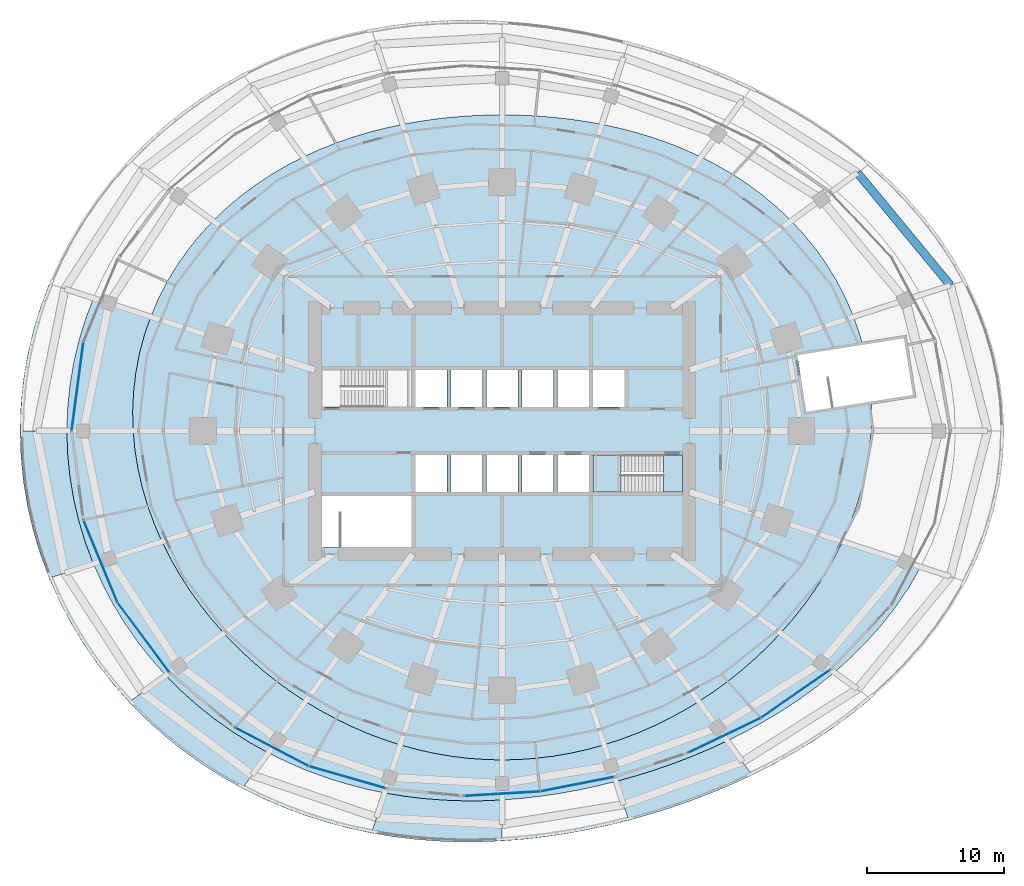
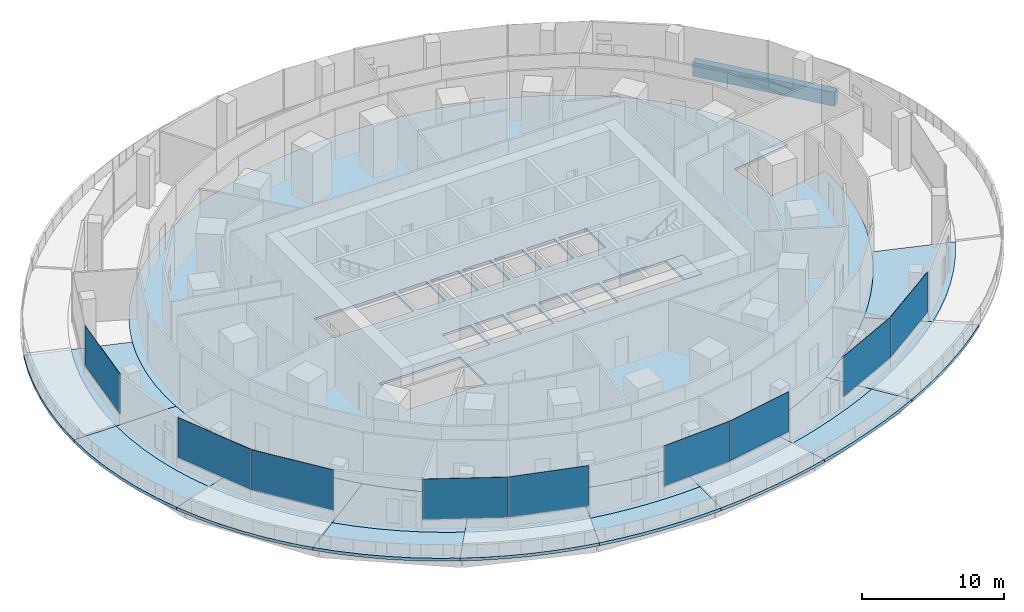
# One storey, part 14 of 26: 22 slabs, 9 plates, 1 beam, 7 elements without a shape of their own.
"""IFC4 building model written with IfcOpenShell, lengths in metres."""

from ifc_helpers import new_model, si_unit, direction, frame, origin, origin_2d, place, context, subcontext, project, spatial, polyline, rectangle, outline, extrude, material, layer, layer_set, material_profile, profile_set, type_object, element, aggregate, save


model = new_model("IFC4")

# Units and contexts
model_context = context("Model", 3, precision=1e-05, world=origin(), true_north=direction((0.0, 1.0)))
body_context = subcontext(model_context, "Body", "Model", "MODEL_VIEW")
ifc_project = project(units=[si_unit("LENGTHUNIT", "METRE"), si_unit("AREAUNIT", "SQUARE_METRE"), si_unit("VOLUMEUNIT", "CUBIC_METRE"), si_unit("PLANEANGLEUNIT", "RADIAN"), si_unit("MASSUNIT", "GRAM", prefix="KILO")], contexts=[model_context])

# Site, building, storey
site_placement = place(None, origin())
site = spatial("IfcSite", under=ifc_project, at=site_placement, CompositionType="ELEMENT")
building_placement = place(site_placement, origin())
building = spatial("IfcBuilding", under=site, at=building_placement, Name="Marramba Exchange Tower", CompositionType="ELEMENT")
storey_placement = place(building_placement, frame((0.0, 0.0, 15.10009765625)))
storey = spatial("IfcBuildingStorey", under=building, at=storey_placement, Name="L03", CompositionType="ELEMENT", Elevation=15.10009765625)

# Beam
ifc_material_1 = material(Name="Concrete N50", Category="concrete")
ifc_material_profile = material_profile(ifc_material_1, rectangle(XDim=0.60009765625, YDim=1.199951171875, at=origin_2d()), Name="RC 600x1200")
ifc_profile_set = profile_set([ifc_material_profile], Name="Concrete N50")
beam_type = type_object("IfcBeamType", Name="Edge beam RC 600x1200 N50", PredefinedType="SPANDREL", material=ifc_profile_set)
beam_placement = place(storey_placement, frame((32.793701171875, 10.6552734375, -0.85009765625), z_axis=(-0.636682264125, 0.77112625072, 0.0), x_axis=(-0.77112625072, -0.636682264125, 0.0)))
element("IfcBeam", 1, at=beam_placement, inside=storey, type_object=beam_type, Name="Edge beam L03 P2C02", PredefinedType="SPANDREL", context=body_context, shape_type="SweptSolid", body=[
    extrude(rectangle(XDim=0.60009765625, YDim=1.199951171875, at=origin_2d()), origin(), (0.0, 0.0, 1.0), 10.67578125),
])

# Slabs
ifc_material_2 = material(Name="Concrete N40", Category="concrete")
ifc_layer_1 = layer(ifc_material_2, 0.199951171875)
ifc_layer_set_1 = layer_set([ifc_layer_1], Name="Floor slab 200")
slab_type_1 = type_object("IfcSlabType", Name="Floor slab 200", PredefinedType="FLOOR", material=ifc_layer_set_1)
slab_1_placement = place(storey_placement, frame((0.0, 0.0, -0.2001953125)))
element("IfcSlab", 2, at=slab_1_placement, inside=storey, type_object=slab_type_1, Name="Floor slab L03", PredefinedType="FLOOR", context=body_context, shape_type="SweptSolid", body=[
    extrude(outline(polyline([(27.003173828125, 2.150634765625), (27.035888671875, 1.4169921875), (27.0, 0.0), (26.8671875, -1.407958984375), (26.64111328125, -2.800048828125), (26.326171875, -4.169677734375), (25.927001953125, -5.510986328125), (25.44921875, -6.819091796875), (24.8984375, -8.090087890625), (24.280517578125, -9.320556640625), (23.60107421875, -10.5078125), (22.865234375, -11.650390625), (22.078369140625, -12.7470703125), (21.244873046875, -13.796630859375), (20.36865234375, -14.798583984375), (19.453369140625, -15.753173828125), (18.502197265625, -16.659423828125), (17.517578125, -17.517578125), (16.501953125, -18.327392578125), (15.457275390625, -19.088134765625), (14.385009765625, -19.799072265625), (13.286865234375, -20.459716796875), (12.164306640625, -21.069091796875), (11.01904296875, -21.6259765625), (9.8525390625, -22.129150390625), (8.66650390625, -22.577392578125), (7.463134765625, -22.968994140625), (6.244140625, -23.30322265625), (5.01171875, -23.578369140625), (3.7685546875, -23.793701171875), (2.51708984375, -23.947998046875), (1.260009765625, -24.041015625), (0.0, -24.072021484375), (-1.260009765625, -24.041015625), (-2.51708984375, -23.947998046875), (-3.7685546875, -23.793701171875), (-5.01171875, -23.578369140625), (-6.244140625, -23.30322265625), (-7.463134765625, -22.968994140625), (-8.66650390625, -22.577392578125), (-9.8525390625, -22.129150390625), (-11.01904296875, -21.6259765625), (-12.164306640625, -21.069091796875), (-13.286865234375, -20.459716796875), (-14.385009765625, -19.799072265625), (-15.457275390625, -19.088134765625), (-16.501953125, -18.327392578125), (-17.517578125, -17.517578125), (-18.502197265625, -16.659423828125), (-19.453369140625, -15.753173828125), (-20.36865234375, -14.798583984375), (-21.244873046875, -13.796630859375), (-22.078369140625, -12.7470703125), (-22.865234375, -11.650390625), (-23.60107421875, -10.5078125), (-24.280517578125, -9.320556640625), (-24.8984375, -8.090087890625), (-25.44921875, -6.819091796875), (-25.927001953125, -5.510986328125), (-26.326171875, -4.169677734375), (-26.64111328125, -2.800048828125), (-26.8671875, -1.407958984375), (-27.0, 0.0), (-27.035888671875, 1.4169921875), (-26.97265625, 2.8349609375), (-26.80859375, 4.24609375), (-26.5439453125, 5.64208984375), (-26.179443359375, 7.0146484375), (-25.717529296875, 8.356201171875), (-25.16162109375, 9.65869140625), (-24.516357421875, 10.915283203125), (-23.786865234375, 12.1201171875), (-22.9794921875, 13.267333984375), (-22.10107421875, 14.3525390625), (-21.158447265625, 15.37255859375), (-20.159423828125, 16.32470703125), (-19.11083984375, 17.20751953125), (-18.020263671875, 18.020263671875), (-16.89453125, 18.763427734375), (-15.740478515625, 19.437744140625), (-14.563720703125, 20.04541015625), (-13.3701171875, 20.588134765625), (-12.164306640625, 21.069091796875), (-10.9501953125, 21.4912109375), (-9.7314453125, 21.857421875), (-8.5107421875, 22.1708984375), (-7.289794921875, 22.435302734375), (-6.06982421875, 22.6533203125), (-4.85205078125, 22.827392578125), (-3.636474609375, 22.96044921875), (-2.423095703125, 23.053955078125), (-1.211181640625, 23.109619140625), (0.0, 23.1279296875), (1.211181640625, 23.109619140625), (2.423095703125, 23.053955078125), (3.636474609375, 22.96044921875), (4.85205078125, 22.827392578125), (6.06982421875, 22.6533203125), (7.289794921875, 22.435302734375), (8.5107421875, 22.1708984375), (9.7314453125, 21.857421875), (10.9501953125, 21.4912109375), (12.164306640625, 21.069091796875), (13.3701171875, 20.588134765625), (14.563720703125, 20.04541015625), (15.740478515625, 19.437744140625), (16.89453125, 18.763427734375), (18.020263671875, 18.020263671875), (19.11083984375, 17.20751953125), (20.159423828125, 16.32470703125), (21.158447265625, 15.37255859375), (22.10107421875, 14.3525390625), (22.9794921875, 13.267333984375), (23.786865234375, 12.1201171875), (24.516357421875, 10.915283203125), (25.16162109375, 9.65869140625), (25.717529296875, 8.356201171875), (26.179443359375, 7.0146484375), (26.368408203125, 6.302490234375), (21.59814453125, 5.546875), (22.255126953125, 1.398681640625), (27.003173828125, 2.150634765625)]), holes=[polyline([(-4.050048828125, 1.75), (-4.050048828125, 4.449951171875), (-6.35009765625, 4.449951171875), (-6.35009765625, 1.75), (-4.050048828125, 1.75)]), polyline([(-1.449951171875, 1.75), (-1.449951171875, 4.449951171875), (-3.75, 4.449951171875), (-3.75, 1.75), (-1.449951171875, 1.75)]), polyline([(1.14990234375, 1.75), (1.14990234375, 4.449951171875), (-1.14990234375, 4.449951171875), (-1.14990234375, 1.75), (1.14990234375, 1.75)]), polyline([(3.75, 1.75), (3.75, 4.449951171875), (1.449951171875, 4.449951171875), (1.449951171875, 1.75), (3.75, 1.75)]), polyline([(6.35009765625, 1.75), (6.35009765625, 4.449951171875), (4.050048828125, 4.449951171875), (4.050048828125, 1.75), (6.35009765625, 1.75)]), polyline([(-4.050048828125, -4.449951171875), (-4.050048828125, -1.75), (-6.35009765625, -1.75), (-6.35009765625, -4.449951171875), (-4.050048828125, -4.449951171875)]), polyline([(-1.449951171875, -4.449951171875), (-1.449951171875, -1.75), (-3.75, -1.75), (-3.75, -4.449951171875), (-1.449951171875, -4.449951171875)]), polyline([(1.14990234375, -4.449951171875), (1.14990234375, -1.75), (-1.14990234375, -1.75), (-1.14990234375, -4.449951171875), (1.14990234375, -4.449951171875)]), polyline([(3.75, -4.449951171875), (3.75, -1.75), (1.449951171875, -1.75), (1.449951171875, -4.449951171875), (3.75, -4.449951171875)]), polyline([(6.35009765625, -4.449951171875), (6.35009765625, -1.75), (4.050048828125, -1.75), (4.050048828125, -4.449951171875), (6.35009765625, -4.449951171875)]), polyline([(8.949951171875, 1.75), (8.949951171875, 4.449951171875), (6.64990234375, 4.449951171875), (6.64990234375, 1.75), (8.949951171875, 1.75)]), polyline([(-6.64990234375, 1.75), (-6.64990234375, 4.449951171875), (-13.199951171875, 4.449951171875), (-13.199951171875, 1.75), (-6.64990234375, 1.75)]), polyline([(13.199951171875, -4.449951171875), (13.199951171875, -1.75), (6.64990234375, -1.75), (6.64990234375, -4.449951171875), (13.199951171875, -4.449951171875)]), polyline([(-6.64990234375, -8.5), (-6.64990234375, -4.75), (-13.199951171875, -4.75), (-13.199951171875, -8.5), (-6.64990234375, -8.5)])]), origin(), (0.0, 0.0, 1.0), 0.2001953125),
])
slab_2_placement = place(storey_placement, frame((0.0, 0.0, -0.2001953125)))
element("IfcSlab", 3, at=slab_2_placement, inside=storey, type_object=slab_type_1, Name="Floor slab L03 podium bay 10", PredefinedType="FLOOR", context=body_context, shape_type="SweptSolid", body=[
    extrude(outline(polyline([(-31.794921875, 1.666259765625), (-31.629638671875, 3.324462890625), (-31.356201171875, 4.96630859375), (-30.976318359375, 6.584228515625), (-30.49365234375, 8.170654296875), (-29.91162109375, 9.71875), (-25.717529296875, 8.356201171875), (-26.179443359375, 7.0146484375), (-26.5439453125, 5.64208984375), (-26.80859375, 4.24609375), (-26.97265625, 2.8349609375), (-27.035888671875, 1.4169921875), (-27.0, 0.0), (-31.85009765625, 0.0), (-31.794921875, 1.666259765625)])), origin(), (0.0, 0.0, 1.0), 0.2001953125),
])
slab_3_placement = place(storey_placement, frame((0.0, 0.0, -0.2001953125)))
element("IfcSlab", 4, at=slab_3_placement, inside=storey, type_object=slab_type_1, Name="Floor slab L03 podium bay 11", PredefinedType="FLOOR", context=body_context, shape_type="SweptSolid", body=[
    extrude(outline(polyline([(-30.49365234375, -8.170654296875), (-30.976318359375, -6.584228515625), (-31.356201171875, -4.96630859375), (-31.629638671875, -3.324462890625), (-31.794921875, -1.666259765625), (-31.85009765625, 0.0), (-27.0, 0.0), (-26.8671875, -1.407958984375), (-26.64111328125, -2.800048828125), (-26.326171875, -4.169677734375), (-25.927001953125, -5.510986328125), (-25.44921875, -6.819091796875), (-24.8984375, -8.090087890625), (-29.91162109375, -9.71875), (-30.49365234375, -8.170654296875)])), origin(), (0.0, 0.0, 1.0), 0.2001953125),
])
slab_4_placement = place(storey_placement, frame((0.0, 0.0, -0.2001953125)))
element("IfcSlab", 5, at=slab_4_placement, inside=storey, type_object=slab_type_1, Name="Floor slab L03 podium bay 12", PredefinedType="FLOOR", context=body_context, shape_type="SweptSolid", body=[
    extrude(outline(polyline([(-25.685302734375, -16.68017578125), (-26.68798828125, -15.408447265625), (-27.61767578125, -14.072021484375), (-28.468505859375, -12.675048828125), (-29.23486328125, -11.22216796875), (-29.91162109375, -9.71875), (-24.8984375, -8.090087890625), (-24.280517578125, -9.320556640625), (-23.60107421875, -10.5078125), (-22.865234375, -11.650390625), (-22.078369140625, -12.7470703125), (-21.244873046875, -13.796630859375), (-20.36865234375, -14.798583984375), (-24.615478515625, -17.88427734375), (-25.685302734375, -16.68017578125)])), origin(), (0.0, 0.0, 1.0), 0.2001953125),
])
slab_5_placement = place(storey_placement, frame((0.0, 0.0, -0.2001953125)))
element("IfcSlab", 6, at=slab_5_placement, inside=storey, type_object=slab_type_1, Name="Floor slab L03 podium bay 13", PredefinedType="FLOOR", context=body_context, shape_type="SweptSolid", body=[
    extrude(outline(polyline([(-18.46435546875, -22.801513671875), (-19.7822265625, -21.97021484375), (-21.061767578125, -21.061767578125), (-22.2978515625, -20.0771484375), (-23.484375, -19.017333984375), (-24.615478515625, -17.88427734375), (-20.36865234375, -14.798583984375), (-19.453369140625, -15.753173828125), (-18.502197265625, -16.659423828125), (-17.517578125, -17.517578125), (-16.501953125, -18.327392578125), (-15.457275390625, -19.088134765625), (-14.385009765625, -19.799072265625), (-17.114013671875, -23.555419921875), (-18.46435546875, -22.801513671875)])), origin(), (0.0, 0.0, 1.0), 0.2001953125),
])
slab_6_placement = place(storey_placement, frame((0.0, 0.0, -0.2001953125)))
element("IfcSlab", 7, at=slab_6_placement, inside=storey, type_object=slab_type_1, Name="Floor slab L03 podium bay 14", PredefinedType="FLOOR", context=body_context, shape_type="SweptSolid", body=[
    extrude(outline(polyline([(-8.606689453125, -26.48876953125), (-10.05029296875, -26.18212890625), (-11.489013671875, -25.804931640625), (-12.919189453125, -25.355224609375), (-14.33642578125, -24.831298828125), (-15.736328125, -24.231689453125), (-17.114013671875, -23.555419921875), (-14.385009765625, -19.799072265625), (-13.286865234375, -20.459716796875), (-12.164306640625, -21.069091796875), (-11.01904296875, -21.6259765625), (-9.8525390625, -22.129150390625), (-8.66650390625, -22.577392578125), (-7.463134765625, -22.968994140625), (-8.606689453125, -26.48876953125)])), origin(), (0.0, 0.0, 1.0), 0.2001953125),
])
slab_7_placement = place(storey_placement, frame((0.0, 0.0, -0.2001953125)))
element("IfcSlab", 8, at=slab_7_placement, inside=storey, type_object=slab_type_1, Name="Floor slab L03 podium bay 15", PredefinedType="FLOOR", context=body_context, shape_type="SweptSolid", body=[
    extrude(outline(polyline([(-1.418212890625, -27.058837890625), (-2.844482421875, -27.06396484375), (-4.2783203125, -27.01220703125), (-5.718017578125, -26.901123046875), (-7.16162109375, -26.7275390625), (-8.606689453125, -26.48876953125), (-7.463134765625, -22.968994140625), (-6.244140625, -23.30322265625), (-5.01171875, -23.578369140625), (-3.7685546875, -23.793701171875), (-2.51708984375, -23.947998046875), (-1.260009765625, -24.041015625), (0.0, -24.072021484375), (0.0, -27.0), (-1.418212890625, -27.058837890625)])), origin(), (0.0, 0.0, 1.0), 0.2001953125),
])
slab_8_placement = place(storey_placement, frame((0.0, 0.0, -0.2001953125)))
element("IfcSlab", 9, at=slab_8_placement, inside=storey, type_object=slab_type_1, Name="Floor slab L03 podium bay 16", PredefinedType="FLOOR", context=body_context, shape_type="SweptSolid", body=[
    extrude(outline(polyline([(6.9619140625, -25.982177734375), (5.585205078125, -26.276123046875), (4.201416015625, -26.526123046875), (2.8095703125, -26.7314453125), (1.4091796875, -26.89013671875), (0.0, -27.0), (0.0, -24.072021484375), (1.260009765625, -24.041015625), (2.51708984375, -23.947998046875), (3.7685546875, -23.793701171875), (5.01171875, -23.578369140625), (6.244140625, -23.30322265625), (7.463134765625, -22.968994140625), (8.332763671875, -25.645263671875), (6.9619140625, -25.982177734375)])), origin(), (0.0, 0.0, 1.0), 0.2001953125),
])
slab_9_placement = place(storey_placement, frame((0.0, 0.0, -0.2001953125)))
element("IfcSlab", 10, at=slab_9_placement, inside=storey, type_object=slab_type_1, Name="Floor slab L03 podium bay 17", PredefinedType="FLOOR", context=body_context, shape_type="SweptSolid", body=[
    extrude(outline(polyline([(16.47509765625, -22.676025390625), (15.126708984375, -23.29296875), (13.774169921875, -23.857666015625), (12.418701171875, -24.373046875), (11.06005859375, -24.841552734375), (9.698486328125, -25.26513671875), (8.332763671875, -25.645263671875), (7.463134765625, -22.968994140625), (8.66650390625, -22.577392578125), (9.8525390625, -22.129150390625), (11.01904296875, -21.6259765625), (12.164306640625, -21.069091796875), (13.286865234375, -20.459716796875), (14.385009765625, -19.799072265625), (16.47509765625, -22.676025390625)])), origin(), (0.0, 0.0, 1.0), 0.2001953125),
])
slab_10_placement = place(storey_placement, frame((0.0, 0.0, -0.2001953125)))
element("IfcSlab", 11, at=slab_10_placement, inside=storey, type_object=slab_type_1, Name="Floor slab L03 podium bay 18", PredefinedType="FLOOR", context=body_context, shape_type="SweptSolid", body=[
    extrude(outline(polyline([(23.061767578125, -18.675048828125), (21.77978515625, -19.610595703125), (20.474365234375, -20.474365234375), (19.152099609375, -21.2705078125), (17.81787109375, -22.003173828125), (16.47509765625, -22.676025390625), (14.385009765625, -19.799072265625), (15.457275390625, -19.088134765625), (16.501953125, -18.327392578125), (17.517578125, -17.517578125), (18.502197265625, -16.659423828125), (19.453369140625, -15.753173828125), (20.36865234375, -14.798583984375), (24.31298828125, -17.66455078125), (23.061767578125, -18.675048828125)])), origin(), (0.0, 0.0, 1.0), 0.2001953125),
])
slab_11_placement = place(storey_placement, frame((0.0, 0.0, -0.2001953125)))
element("IfcSlab", 12, at=slab_11_placement, inside=storey, type_object=slab_type_1, Name="Floor slab L03 podium bay 19", PredefinedType="FLOOR", context=body_context, shape_type="SweptSolid", body=[
    extrude(outline(polyline([(30.623291015625, -9.9501953125), (29.770751953125, -11.427978515625), (28.82275390625, -12.832763671875), (27.791015625, -14.16015625), (26.68798828125, -15.408447265625), (25.525146484375, -16.576171875), (24.31298828125, -17.66455078125), (20.36865234375, -14.798583984375), (21.244873046875, -13.796630859375), (22.078369140625, -12.7470703125), (22.865234375, -11.650390625), (23.60107421875, -10.5078125), (24.280517578125, -9.320556640625), (24.8984375, -8.090087890625), (30.623291015625, -9.9501953125)])), origin(), (0.0, 0.0, 1.0), 0.2001953125),
])
ifc_layer_2 = layer(ifc_material_2, 0.25)
ifc_layer_set_2 = layer_set([ifc_layer_2], Name="Planted roof slab 250")
slab_type_2 = type_object("IfcSlabType", Name="Planted roof slab 250", PredefinedType="ROOF", material=ifc_layer_set_2)
slab_12_placement = place(storey_placement, frame((0.0, 0.0, -0.25)))
element("IfcSlab", 13, at=slab_12_placement, inside=storey, type_object=slab_type_2, Name="Planted roof slab L03 bay 10", PredefinedType="ROOF", context=body_context, shape_type="SweptSolid", body=[
    extrude(outline(polyline([(-35.21923828125, 1.845703125), (-35.03759765625, 3.6826171875), (-34.736572265625, 5.501708984375), (-34.318603515625, 7.294677734375), (-33.787353515625, 9.05322265625), (-33.146484375, 10.77001953125), (-29.91162109375, 9.71875), (-30.49365234375, 8.170654296875), (-30.976318359375, 6.584228515625), (-31.356201171875, 4.96630859375), (-31.629638671875, 3.324462890625), (-31.794921875, 1.666259765625), (-31.85009765625, 0.0), (-35.280029296875, 0.0), (-35.21923828125, 1.845703125)])), origin(), (0.0, 0.0, 1.0), 0.25),
])
slab_13_placement = place(storey_placement, frame((0.0, 0.0, -0.25)))
element("IfcSlab", 14, at=slab_13_placement, inside=storey, type_object=slab_type_2, Name="Planted roof slab L03 bay 12", PredefinedType="ROOF", context=body_context, shape_type="SweptSolid", body=[
    extrude(outline(polyline([(-28.484619140625, -18.498291015625), (-29.591796875, -17.0849609375), (-30.61767578125, -15.6005859375), (-31.55615234375, -14.049560546875), (-32.40087890625, -12.4375), (-33.146484375, -10.77001953125), (-29.91162109375, -9.71875), (-29.23486328125, -11.22216796875), (-28.468505859375, -12.675048828125), (-27.61767578125, -14.072021484375), (-26.68798828125, -15.408447265625), (-25.685302734375, -16.68017578125), (-24.615478515625, -17.88427734375), (-27.302734375, -19.836669921875), (-28.484619140625, -18.498291015625)])), origin(), (0.0, 0.0, 1.0), 0.25),
])
slab_14_placement = place(storey_placement, frame((0.0, 0.0, -0.25)))
element("IfcSlab", 15, at=slab_14_placement, inside=storey, type_object=slab_type_2, Name="Planted roof slab L03 bay 14", PredefinedType="ROOF", context=body_context, shape_type="SweptSolid", body=[
    extrude(outline(polyline([(-11.163818359375, -29.082763671875), (-12.760986328125, -28.661376953125), (-14.347900390625, -28.159423828125), (-15.920166015625, -27.574462890625), (-17.47265625, -26.905517578125), (-18.999755859375, -26.15087890625), (-17.114013671875, -23.555419921875), (-15.736328125, -24.231689453125), (-14.33642578125, -24.831298828125), (-12.919189453125, -25.355224609375), (-11.489013671875, -25.804931640625), (-10.05029296875, -26.18212890625), (-8.606689453125, -26.48876953125), (-9.56103515625, -29.42578125), (-11.163818359375, -29.082763671875)])), origin(), (0.0, 0.0, 1.0), 0.25),
])
slab_15_placement = place(storey_placement, frame((0.0, 0.0, -0.25)))
element("IfcSlab", 16, at=slab_15_placement, inside=storey, type_object=slab_type_2, Name="Planted roof slab L03 bay 16", PredefinedType="ROOF", context=body_context, shape_type="SweptSolid", body=[
    extrude(outline(polyline([(9.256591796875, -28.48876953125), (7.734375, -28.864990234375), (6.205078125, -29.19287109375), (4.66796875, -29.471923828125), (3.12158203125, -29.700927734375), (1.56591796875, -29.877685546875), (0.0, -30.0), (0.0, -27.0), (1.4091796875, -26.89013671875), (2.8095703125, -26.7314453125), (4.201416015625, -26.526123046875), (5.585205078125, -26.276123046875), (6.9619140625, -25.982177734375), (8.332763671875, -25.645263671875), (9.256591796875, -28.48876953125)])), origin(), (0.0, 0.0, 1.0), 0.25),
])
slab_16_placement = place(storey_placement, frame((0.0, 0.0, -0.25)))
element("IfcSlab", 17, at=slab_16_placement, inside=storey, type_object=slab_type_2, Name="Planted roof slab L03 bay 18", PredefinedType="ROOF", context=body_context, shape_type="SweptSolid", body=[
    extrude(outline(polyline([(26.96728515625, -19.593017578125), (25.58349609375, -20.71728515625), (24.165283203125, -21.758544921875), (22.720703125, -22.720703125), (21.256591796875, -23.60791015625), (19.778564453125, -24.42431640625), (18.29052734375, -25.1748046875), (16.47509765625, -22.676025390625), (17.81787109375, -22.003173828125), (19.152099609375, -21.2705078125), (20.474365234375, -20.474365234375), (21.77978515625, -19.610595703125), (23.061767578125, -18.675048828125), (24.31298828125, -17.66455078125), (26.96728515625, -19.593017578125)])), origin(), (0.0, 0.0, 1.0), 0.25),
])

# Curtain wall, plate
ifc_material_3 = material(Name="Aluminium framing, bronze anodised", Category="aluminium")
curtain_wall_type = type_object("IfcCurtainWallType", Name="Podium ribbon curtain wall", PredefinedType="USERDEFINED", material=ifc_material_3)
curtain_wall_1_placement = place(storey_placement, origin())
curtain_wall_1 = element("IfcCurtainWall", 18, at=curtain_wall_1_placement, inside=storey, type_object=curtain_wall_type, Name="Curtain wall CW2 L03 F14-F15", ObjectType="RIBBON CURTAIN WALL", PredefinedType="USERDEFINED")
ifc_material_4 = material(Name="Double glazed unit 8 + 12 + 8.76, bronze tinted", Category="glass")
ifc_layer_3 = layer(ifc_material_4, 0.02880859375)
ifc_layer_set_3 = layer_set([ifc_layer_3], Name="Podium ribbon curtain wall panel")
plate_type = type_object("IfcPlateType", Name="Podium ribbon curtain wall panel", PredefinedType="CURTAIN_PANEL", material=ifc_layer_set_3)
plate_1_placement = place(storey_placement, frame((-31.06689453125, 3.255615234375, 0.85986328125), z_axis=(0.0, 0.0, 1.0), x_axis=(-0.131839492292, -0.991271077089, 0.0)))
plate_1 = element("IfcPlate", 19, at=plate_1_placement, type_object=plate_type, Name="CW2 vision panel", PredefinedType="CURTAIN_PANEL", context=body_context, shape_type="SweptSolid", body=[
    extrude(rectangle(XDim=6.44873046875, YDim=0.02880859375, at=origin_2d()), origin(), (0.0, 0.0, 1.0), 3.43994140625),
])
aggregate(curtain_wall_1, [plate_1])

# Curtain wall, plates
curtain_wall_2_placement = place(storey_placement, origin())
curtain_wall_2 = element("IfcCurtainWall", 20, at=curtain_wall_2_placement, inside=storey, type_object=curtain_wall_type, Name="Curtain wall CW2 L03 F17-F18", ObjectType="RIBBON CURTAIN WALL", PredefinedType="USERDEFINED")
plate_2_placement = place(storey_placement, frame((-29.3798828125, -9.5498046875, 0.85986328125), z_axis=(0.0, 0.0, 1.0), x_axis=(0.381514462714, -0.924362869624, 0.0)))
plate_2 = element("IfcPlate", 21, at=plate_2_placement, type_object=plate_type, Name="CW2 vision panel", PredefinedType="CURTAIN_PANEL", context=body_context, shape_type="SweptSolid", body=[
    extrude(rectangle(XDim=6.453857421875, YDim=0.02880859375, at=origin_2d()), origin(), (0.0, 0.0, 1.0), 3.43994140625),
])
plate_3_placement = place(storey_placement, frame((-26.240478515625, -15.10546875, 0.85986328125), z_axis=(0.0, 0.0, 1.0), x_axis=(0.595708592515, -0.803200642931, 0.0)))
plate_3 = element("IfcPlate", 22, at=plate_3_placement, type_object=plate_type, Name="CW2 vision panel", PredefinedType="CURTAIN_PANEL", context=body_context, shape_type="SweptSolid", body=[
    extrude(rectangle(XDim=6.28662109375, YDim=0.02880859375, at=origin_2d()), origin(), (0.0, 0.0, 1.0), 3.43994140625),
])
aggregate(curtain_wall_2, [plate_2, plate_3])

# Curtain wall, plate
curtain_wall_3_placement = place(storey_placement, origin())
curtain_wall_3 = element("IfcCurtainWall", 23, at=curtain_wall_3_placement, inside=storey, type_object=curtain_wall_type, Name="Curtain wall CW2 L03 F20", ObjectType="RIBBON CURTAIN WALL", PredefinedType="USERDEFINED")
plate_4_placement = place(storey_placement, frame((-16.828125, -23.133056640625, 0.85986328125), z_axis=(0.0, 0.0, 1.0), x_axis=(0.886061919325, -0.463566904687, 0.0)))
plate_4 = element("IfcPlate", 24, at=plate_4_placement, type_object=plate_type, Name="CW2 vision panel", PredefinedType="CURTAIN_PANEL", context=body_context, shape_type="SweptSolid", body=[
    extrude(rectangle(XDim=6.019287109375, YDim=0.02880859375, at=origin_2d()), origin(), (0.0, 0.0, 1.0), 3.43994140625),
])
aggregate(curtain_wall_3, [plate_4])

curtain_wall_4_placement = place(storey_placement, origin())
curtain_wall_4 = element("IfcCurtainWall", 25, at=curtain_wall_4_placement, inside=storey, type_object=curtain_wall_type, Name="Curtain wall CW2 L03 F21", ObjectType="RIBBON CURTAIN WALL", PredefinedType="USERDEFINED")
plate_5_placement = place(storey_placement, frame((-11.330078125, -25.342041015625, 0.85986328125), z_axis=(0.0, 0.0, 1.0), x_axis=(0.961087956315, -0.276242538772, 0.0)))
plate_5 = element("IfcPlate", 26, at=plate_5_placement, type_object=plate_type, Name="CW2 vision panel", PredefinedType="CURTAIN_PANEL", context=body_context, shape_type="SweptSolid", body=[
    extrude(rectangle(XDim=5.772216796875, YDim=0.02880859375, at=origin_2d()), origin(), (0.0, 0.0, 1.0), 3.43994140625),
])
aggregate(curtain_wall_4, [plate_5])

# Curtain wall, plates
curtain_wall_5_placement = place(storey_placement, origin())
curtain_wall_5 = element("IfcCurtainWall", 27, at=curtain_wall_5_placement, inside=storey, type_object=curtain_wall_type, Name="Curtain wall CW2 L03 F23-F24", ObjectType="RIBBON CURTAIN WALL", PredefinedType="USERDEFINED")
plate_6_placement = place(storey_placement, frame((0.012451171875, -26.5478515625, 0.85986328125), z_axis=(0.0, 0.0, 1.0), x_axis=(0.998230234172, 0.059467634766, 0.0)))
plate_6 = element("IfcPlate", 28, at=plate_6_placement, type_object=plate_type, Name="CW2 vision panel", PredefinedType="CURTAIN_PANEL", context=body_context, shape_type="SweptSolid", body=[
    extrude(rectangle(XDim=5.53076171875, YDim=0.02880859375, at=origin_2d()), origin(), (0.0, 0.0, 1.0), 3.43994140625),
])
plate_7_placement = place(storey_placement, frame((5.498779296875, -25.847900390625, 0.85986328125), z_axis=(0.0, 0.0, 1.0), x_axis=(0.981244448813, 0.192767558666, 0.0)))
plate_7 = element("IfcPlate", 29, at=plate_7_placement, type_object=plate_type, Name="CW2 vision panel", PredefinedType="CURTAIN_PANEL", context=body_context, shape_type="SweptSolid", body=[
    extrude(rectangle(XDim=5.435791015625, YDim=0.02880859375, at=origin_2d()), origin(), (0.0, 0.0, 1.0), 3.43994140625),
])
aggregate(curtain_wall_5, [plate_6, plate_7])

curtain_wall_6_placement = place(storey_placement, origin())
curtain_wall_6 = element("IfcCurtainWall", 30, at=curtain_wall_6_placement, inside=storey, type_object=curtain_wall_type, Name="Curtain wall CW2 L03 F26-F27", ObjectType="RIBBON CURTAIN WALL", PredefinedType="USERDEFINED")
plate_8_placement = place(storey_placement, frame((16.28564453125, -22.26953125, 0.85986328125), z_axis=(0.0, 0.0, 1.0), x_axis=(0.90211980917, 0.431485631167, 0.0)))
plate_8 = element("IfcPlate", 31, at=plate_8_placement, type_object=plate_type, Name="CW2 vision panel", PredefinedType="CURTAIN_PANEL", context=body_context, shape_type="SweptSolid", body=[
    extrude(rectangle(XDim=5.8359375, YDim=0.02880859375, at=origin_2d()), origin(), (0.0, 0.0, 1.0), 3.43994140625),
])
plate_9_placement = place(storey_placement, frame((21.473876953125, -19.234619140625, 0.85986328125), z_axis=(0.0, 0.0, 1.0), x_axis=(0.821237694181, 0.570586233321, 0.0)))
plate_9 = element("IfcPlate", 32, at=plate_9_placement, type_object=plate_type, Name="CW2 vision panel", PredefinedType="CURTAIN_PANEL", context=body_context, shape_type="SweptSolid", body=[
    extrude(rectangle(XDim=6.104736328125, YDim=0.02880859375, at=origin_2d()), origin(), (0.0, 0.0, 1.0), 3.43994140625),
])
aggregate(curtain_wall_6, [plate_8, plate_9])

# Stair, slabs
ifc_material_5 = material(Name="Concrete N40 (40 MPa)", Category="concrete")
stair_type = type_object("IfcStairType", Name="Exit stair ST2 4500 x 1250", PredefinedType="HALF_TURN_STAIR", material=ifc_material_5)
stair_placement = place(storey_placement, origin())
stair = element("IfcStair", 33, at=stair_placement, inside=storey, type_object=stair_type, Name="Exit stair ST2 L03", PredefinedType="HALF_TURN_STAIR")
ifc_layer_4 = layer(ifc_material_5, 0.199951171875)
ifc_layer_set_4 = layer_set([ifc_layer_4], Name="Stair landing 200")
slab_type_3 = type_object("IfcSlabType", Name="Stair landing 200", PredefinedType="LANDING", material=ifc_layer_set_4)
slab_17_placement = place(storey_placement, frame((0.0, 0.0, -0.2001953125)))
slab_17 = element("IfcSlab", 34, at=slab_17_placement, type_object=slab_type_3, Name="ST2 landing 1", PredefinedType="LANDING", context=body_context, shape_type="SweptSolid", body=[
    extrude(outline(polyline([(11.800048828125, -4.449951171875), (13.199951171875, -4.449951171875), (13.199951171875, -1.75), (11.800048828125, -1.75), (11.800048828125, -4.449951171875)])), origin(), (0.0, 0.0, 1.0), 0.2001953125),
])
slab_18_placement = place(storey_placement, frame((0.0, 0.0, 2.0498046875)))
slab_18 = element("IfcSlab", 35, at=slab_18_placement, type_object=slab_type_3, Name="ST2 landing 2", PredefinedType="LANDING", context=body_context, shape_type="SweptSolid", body=[
    extrude(outline(polyline([(6.64990234375, -4.449951171875), (8.679931640625, -4.449951171875), (8.679931640625, -1.75), (6.64990234375, -1.75), (6.64990234375, -4.449951171875)])), origin(), (0.0, 0.0, 1.0), 0.2001953125),
])
aggregate(stair, [slab_17, slab_18])

# Slabs
ifc_layer_5 = layer(ifc_material_2, 0.25)
ifc_layer_set_5 = layer_set([ifc_layer_5], Name="Terrace slab 250")
slab_type_4 = type_object("IfcSlabType", Name="Terrace slab 250", PredefinedType="FLOOR", material=ifc_layer_set_5)
slab_19_placement = place(storey_placement, frame((0.0, 0.0, -0.25)))
element("IfcSlab", 36, at=slab_19_placement, inside=storey, type_object=slab_type_4, Name="Terrace slab L03 bay 11", PredefinedType="FLOOR", context=body_context, shape_type="SweptSolid", body=[
    extrude(outline(polyline([(-33.146484375, -10.77001953125), (-33.787353515625, -9.05322265625), (-34.318603515625, -7.294677734375), (-34.736572265625, -5.501708984375), (-35.03759765625, -3.6826171875), (-35.21923828125, -1.845703125), (-35.280029296875, 0.0), (-31.85009765625, 0.0), (-31.794921875, -1.666259765625), (-31.629638671875, -3.324462890625), (-31.356201171875, -4.96630859375), (-30.976318359375, -6.584228515625), (-30.49365234375, -8.170654296875), (-29.91162109375, -9.71875), (-33.146484375, -10.77001953125)])), origin(), (0.0, 0.0, 1.0), 0.25),
])
slab_20_placement = place(storey_placement, frame((0.0, 0.0, -0.25)))
element("IfcSlab", 37, at=slab_20_placement, inside=storey, type_object=slab_type_4, Name="Terrace slab L03 bay 13", PredefinedType="FLOOR", context=body_context, shape_type="SweptSolid", body=[
    extrude(outline(polyline([(-20.49609375, -25.310791015625), (-21.955810546875, -24.38427734375), (-23.37255859375, -23.37255859375), (-24.740234375, -22.276123046875), (-26.052490234375, -21.096923828125), (-27.302734375, -19.836669921875), (-24.615478515625, -17.88427734375), (-23.484375, -19.017333984375), (-22.2978515625, -20.0771484375), (-21.061767578125, -21.061767578125), (-19.7822265625, -21.97021484375), (-18.46435546875, -22.801513671875), (-17.114013671875, -23.555419921875), (-18.999755859375, -26.15087890625), (-20.49609375, -25.310791015625)])), origin(), (0.0, 0.0, 1.0), 0.25),
])
slab_21_placement = place(storey_placement, frame((0.0, 0.0, -0.25)))
element("IfcSlab", 38, at=slab_21_placement, inside=storey, type_object=slab_type_4, Name="Terrace slab L03 bay 15", PredefinedType="FLOOR", context=body_context, shape_type="SweptSolid", body=[
    extrude(outline(polyline([(-1.57568359375, -30.065185546875), (-3.160400390625, -30.0703125), (-4.75341796875, -30.01220703125), (-6.352783203125, -29.887451171875), (-7.956298828125, -29.693115234375), (-9.56103515625, -29.42578125), (-8.606689453125, -26.48876953125), (-7.16162109375, -26.7275390625), (-5.718017578125, -26.901123046875), (-4.2783203125, -27.01220703125), (-2.844482421875, -27.06396484375), (-1.418212890625, -27.058837890625), (0.0, -27.0), (0.0, -30.0), (-1.57568359375, -30.065185546875)])), origin(), (0.0, 0.0, 1.0), 0.25),
])
slab_22_placement = place(storey_placement, frame((0.0, 0.0, -0.25)))
element("IfcSlab", 39, at=slab_22_placement, inside=storey, type_object=slab_type_4, Name="Terrace slab L03 bay 17", PredefinedType="FLOOR", context=body_context, shape_type="SweptSolid", body=[
    extrude(outline(polyline([(18.29052734375, -25.1748046875), (16.795654296875, -25.863037109375), (15.2958984375, -26.4931640625), (13.7919921875, -27.068359375), (12.284423828125, -27.591552734375), (10.77294921875, -28.064453125), (9.256591796875, -28.48876953125), (8.332763671875, -25.645263671875), (9.698486328125, -25.26513671875), (11.06005859375, -24.841552734375), (12.418701171875, -24.373046875), (13.774169921875, -23.857666015625), (15.126708984375, -23.29296875), (16.47509765625, -22.676025390625), (18.29052734375, -25.1748046875)])), origin(), (0.0, 0.0, 1.0), 0.25),
])

save(model, "model.ifc")
